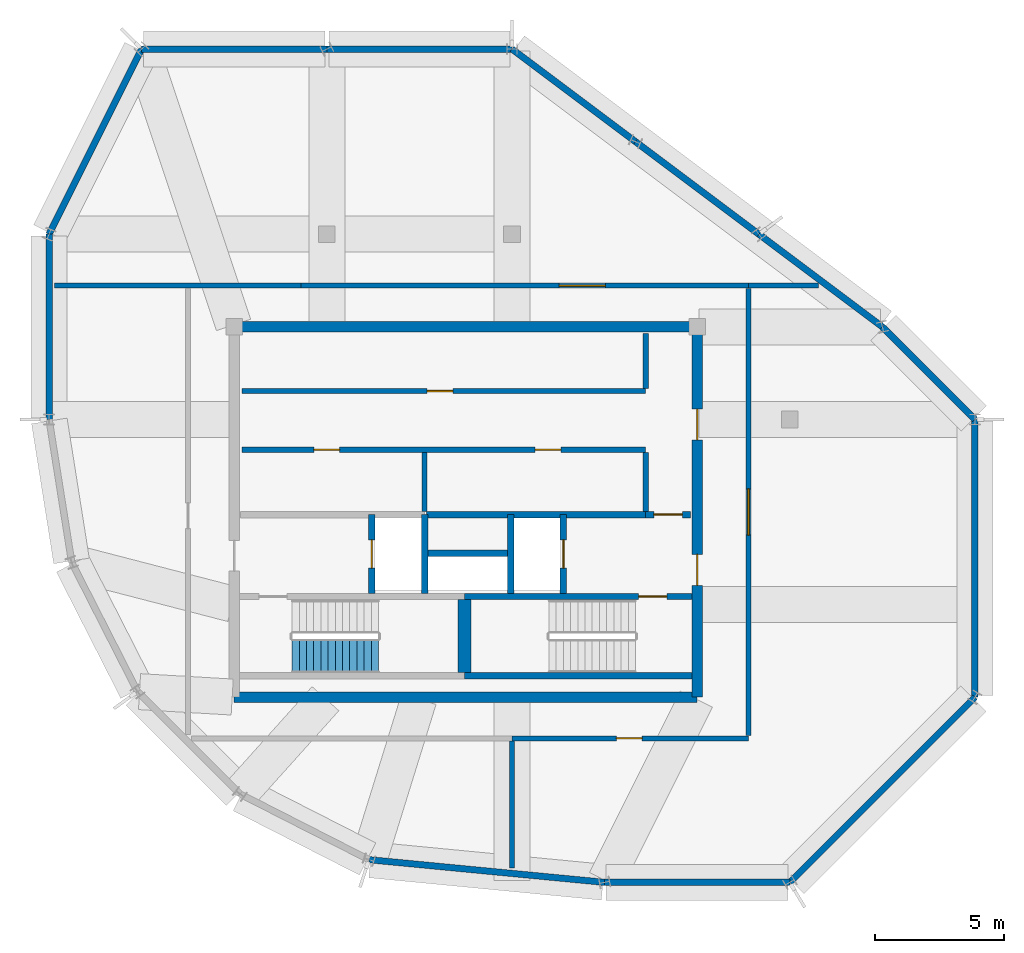
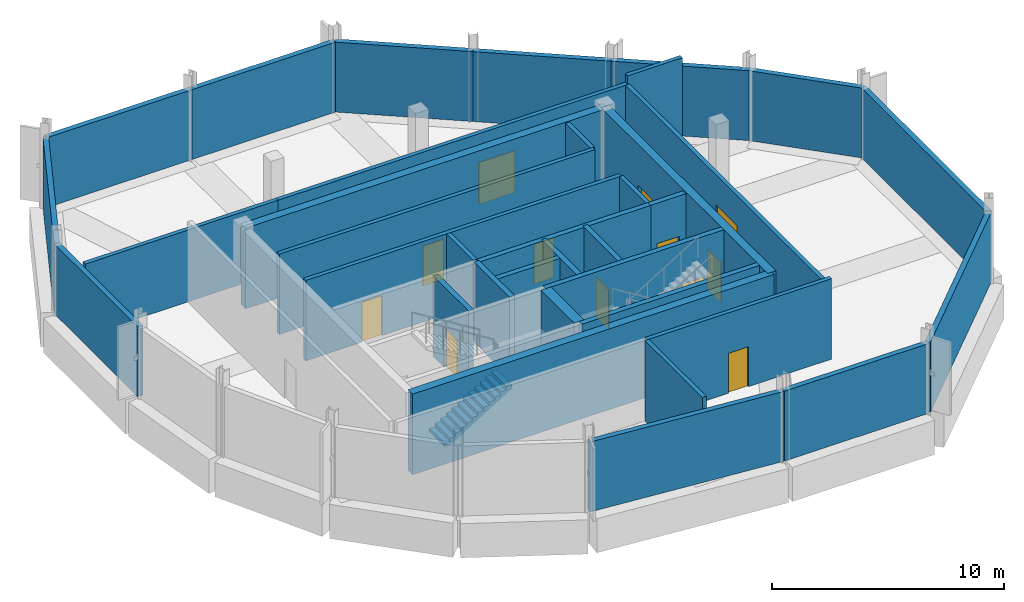
# One storey, part 2 of 5: 36 walls, 12 doors, 1 stair flight, 12 openings, 1 element without a shape of its own.
"""IFC4 building model written with IfcOpenShell, lengths in metres."""

from ifc_helpers import new_model, si_unit, direction, frame, frame_2d, origin, place, context, subcontext, project, spatial, polyline, rectangle, outline, extrude, material, layer, layer_set, type_object, element, fill, aggregate, save


model = new_model("IFC4")

# Units and contexts
model_context = context("Model", 3, precision=1e-05, world=origin(), true_north=direction((0.0, 1.0)))
body_context = subcontext(model_context, "Body", "Model", "MODEL_VIEW")
ifc_project = project(units=[si_unit("LENGTHUNIT", "METRE"), si_unit("AREAUNIT", "SQUARE_METRE"), si_unit("VOLUMEUNIT", "CUBIC_METRE"), si_unit("PLANEANGLEUNIT", "RADIAN"), si_unit("MASSUNIT", "GRAM", prefix="KILO")], contexts=[model_context])

# Site, building, storey
site_placement = place(None, origin())
site = spatial("IfcSite", under=ifc_project, at=site_placement, CompositionType="ELEMENT")
building_placement = place(site_placement, origin())
building = spatial("IfcBuilding", under=site, at=building_placement, Name="Solnavia Interchange Tower", CompositionType="ELEMENT")
storey_placement = place(building_placement, frame((0.0, 0.0, 304.199951171875)))
storey = spatial("IfcBuildingStorey", under=building, at=storey_placement, Name="C01", CompositionType="ELEMENT", Elevation=304.199951171875)

# Walls
ifc_material_1 = material(Name="Concrete C40/50", Category="concrete")
ifc_layer_1 = layer(ifc_material_1, 0.25)
ifc_layer_set_1 = layer_set([ifc_layer_1], Name="Concrete C40/50")
wall_type_1 = type_object("IfcWallType", Name="Wall-ExtSpandrel-250", PredefinedType="STANDARD", material=ifc_layer_set_1)
wall_1_placement = place(storey_placement, frame((43.199951171875, 21.60009765625, 0.0), z_axis=(0.0, 0.0, 1.0), x_axis=(-0.707106781187, 0.707106781187, 0.0)))
element("IfcWall", 1, at=wall_1_placement, inside=storey, type_object=wall_type_1, Name="EXW-C01-R01 Crown ring facade panel", PredefinedType="STANDARD", context=body_context, shape_type="SweptSolid", body=[
    extrude(rectangle(XDim=5.091064453125, YDim=0.25, at=frame_2d((2.54541015625, 0.0))), origin(), (0.0, 0.0, 1.0), 3.679931640625),
])
for number, where, z_axis, x_axis, name in (
    (2, (39.60009765625, 25.199951171875, 0.0), (0.0, 0.0, 1.0), (-0.79999511724, 0.600006510291, 0.0), "EXW-C01-R02 Crown ring facade panel"),
    (3, (34.800048828125, 28.800048828125, 0.0), (0.0, 0.0, 1.0), (-0.800014648318, 0.599980468412, 0.0), "EXW-C01-R03 Crown ring facade panel"),
    (4, (30.0, 32.39990234375, 0.0), (0.0, 0.0, 1.0), (-0.79999511724, 0.600006510291, 0.0), "EXW-C01-R04 Crown ring facade panel"),
):
    element("IfcWall", number, at=place(storey_placement, frame(where, z_axis=z_axis, x_axis=x_axis)), inside=storey, type_object=wall_type_1, Name=name, PredefinedType="STANDARD", context=body_context, shape_type="SweptSolid", body=[
        extrude(rectangle(XDim=6.0, YDim=0.25, at=frame_2d((3.0, 0.0))), origin(), (0.0, 0.0, 1.0), 3.679931640625),
    ])
for number, where, z_axis, x_axis, name in (
    (5, (25.199951171875, 36.0, 0.0), (0.0, 0.0, 1.0), (-1.0, 0.0, 0.0), "EXW-C01-R05 Crown ring facade panel"),
    (6, (18.0, 36.0, 0.0), (0.0, 0.0, 1.0), (-1.0, 0.0, 0.0), "EXW-C01-R06 Crown ring facade panel"),
):
    element("IfcWall", number, at=place(storey_placement, frame(where, z_axis=z_axis, x_axis=x_axis)), inside=storey, type_object=wall_type_1, Name=name, PredefinedType="STANDARD", context=body_context, shape_type="SweptSolid", body=[
        extrude(rectangle(XDim=7.199951171875, YDim=0.25, at=frame_2d((3.60009765625, 0.0))), origin(), (0.0, 0.0, 1.0), 3.679931640625),
    ])
wall_2_placement = place(storey_placement, frame((10.800048828125, 36.0, 0.0), z_axis=(0.0, 0.0, 1.0), x_axis=(-0.447225726904, -0.894421125195, 0.0)))
element("IfcWall", 7, at=wall_2_placement, inside=storey, type_object=wall_type_1, Name="EXW-C01-R07 Crown ring facade panel", PredefinedType="STANDARD", context=body_context, shape_type="SweptSolid", body=[
    extrude(rectangle(XDim=8.0498046875, YDim=0.25, at=frame_2d((4.02490234375, 0.0))), origin(), (0.0, 0.0, 1.0), 3.679931640625),
])
wall_3_placement = place(storey_placement, frame((7.199951171875, 28.800048828125, 0.0), z_axis=(0.0, 0.0, 1.0), x_axis=(0.0, -1.0, 0.0)))
element("IfcWall", 8, at=wall_3_placement, inside=storey, type_object=wall_type_1, Name="EXW-C01-R08 Crown ring facade panel", PredefinedType="STANDARD", context=body_context, shape_type="SweptSolid", body=[
    extrude(rectangle(XDim=7.199951171875, YDim=0.25, at=frame_2d((3.60009765625, 0.0))), origin(), (0.0, 0.0, 1.0), 3.679931640625),
])
wall_4_placement = place(storey_placement, frame((19.637939453125, 4.48095703125, 0.0), z_axis=(0.0, 0.0, 1.0), x_axis=(0.995410195364, -0.095700276723, 0.0)))
element("IfcWall", 9, at=wall_4_placement, inside=storey, type_object=wall_type_1, Name="EXW-C01-R13 Crown ring facade panel", PredefinedType="STANDARD", context=body_context, shape_type="SweptSolid", body=[
    extrude(rectangle(XDim=9.204345703125, YDim=0.25, at=frame_2d((4.60205078125, 0.0))), origin(), (0.0, 0.0, 1.0), 3.679931640625),
])
wall_5_placement = place(storey_placement, frame((28.800048828125, 3.60009765625, 0.0), z_axis=(0.0, 0.0, 1.0), x_axis=(1.0, 0.0, 0.0)))
element("IfcWall", 10, at=wall_5_placement, inside=storey, type_object=wall_type_1, Name="EXW-C01-R14 Crown ring facade panel", PredefinedType="STANDARD", context=body_context, shape_type="SweptSolid", body=[
    extrude(rectangle(XDim=7.199951171875, YDim=0.25, at=frame_2d((3.60009765625, 0.0))), origin(), (0.0, 0.0, 1.0), 3.679931640625),
])
wall_6_placement = place(storey_placement, frame((36.0, 3.60009765625, 0.0), z_axis=(0.0, 0.0, 1.0), x_axis=(0.707106781187, 0.707106781187, 0.0)))
element("IfcWall", 11, at=wall_6_placement, inside=storey, type_object=wall_type_1, Name="EXW-C01-R15 Crown ring facade panel", PredefinedType="STANDARD", context=body_context, shape_type="SweptSolid", body=[
    extrude(rectangle(XDim=10.182373046875, YDim=0.25, at=frame_2d((5.09130859375, 0.0))), origin(), (0.0, 0.0, 1.0), 3.679931640625),
])
wall_7_placement = place(storey_placement, frame((43.199951171875, 10.800048828125, 0.0), z_axis=(0.0, 0.0, 1.0), x_axis=(0.0, 1.0, 0.0)))
element("IfcWall", 12, at=wall_7_placement, inside=storey, type_object=wall_type_1, Name="EXW-C01-R16 Crown ring facade panel", PredefinedType="STANDARD", context=body_context, shape_type="SweptSolid", body=[
    extrude(rectangle(XDim=10.800048828125, YDim=0.25, at=frame_2d((5.39990234375, 0.0))), origin(), (0.0, 0.0, 1.0), 3.679931640625),
])

# Wall, openings, doors
ifc_layer_2 = layer(ifc_material_1, 0.199951171875)
ifc_layer_set_2 = layer_set([ifc_layer_2], Name="Concrete C40/50")
wall_type_2 = type_object("IfcWallType", Name="Wall-PlantFire-200", PredefinedType="PARTITIONING", material=ifc_layer_set_2)
wall_8_placement = place(storey_placement, frame((14.699951171875, 20.419921875, 0.0), z_axis=(0.0, 0.0, 1.0), x_axis=(1.0, 0.0, 0.0)))
wall_8 = element("IfcWall", 13, at=wall_8_placement, inside=storey, type_object=wall_type_2, Name="CSW-C01-CR1 Core shaft wall", PredefinedType="PARTITIONING", context=body_context, shape_type="SweptSolid", body=[
    extrude(rectangle(XDim=15.699951171875, YDim=0.199951171875, at=frame_2d((7.85009765625, 0.0))), origin(), (0.0, 0.0, 1.0), 4.235107421875),
])
opening_1_placement = place(wall_8_placement, frame((2.800048828125, 0.0, 0.0)))
opening_1 = element("IfcOpeningElement", 14, at=opening_1_placement, cuts=wall_8, Name="Opening DR-04", PredefinedType="OPENING", context=body_context, shape_type="SweptSolid", body=[
    extrude(rectangle(XDim=1.0, YDim=2.10009765625, at=frame_2d((0.5, 1.050048828125))), frame((0.0, 0.10986328125, 0.0), z_axis=(0.0, -1.0, 0.0), x_axis=(1.0, 0.0, 0.0)), (0.0, 0.0, 1.0), 0.219970703125),
])
opening_2_placement = place(wall_8_placement, frame((11.39990234375, 0.0, 0.0)))
opening_2 = element("IfcOpeningElement", 15, at=opening_2_placement, cuts=wall_8, Name="Opening DR-04", PredefinedType="OPENING", context=body_context, shape_type="SweptSolid", body=[
    extrude(rectangle(XDim=1.0, YDim=2.10009765625, at=frame_2d((0.5, 1.050048828125))), frame((0.0, 0.10986328125, 0.0), z_axis=(0.0, -1.0, 0.0), x_axis=(1.0, 0.0, 0.0)), (0.0, 0.0, 1.0), 0.219970703125),
])
ifc_material_2 = material(Name="Steel Fire-Rated Plant Door", Category="steel")
door_type_1 = type_object("IfcDoorType", Name="Door-PlantFire-1000x2100", OperationType="SINGLE_SWING_LEFT", PredefinedType="DOOR", material=ifc_material_2)
door_1_placement = place(opening_1_placement, origin())
door_1 = element("IfcDoor", 16, at=door_1_placement, inside=storey, type_object=door_type_1, Name="DR-C01-CR1 Core fire door", OperationType="SINGLE_SWING_LEFT", OverallHeight=2.10009765625, OverallWidth=1.0, PredefinedType="DOOR", context=body_context, shape_type="SweptSolid", body=[
    extrude(rectangle(XDim=1.0, YDim=2.10009765625, at=frame_2d((0.5, 1.050048828125))), frame((0.0, 0.02490234375, 0.0), z_axis=(0.0, -1.0, 0.0), x_axis=(1.0, 0.0, 0.0)), (0.0, 0.0, 1.0), 0.050048828125),
])
fill(opening_1, door_1)
door_2_placement = place(opening_2_placement, origin())
door_2 = element("IfcDoor", 17, at=door_2_placement, inside=storey, type_object=door_type_1, Name="DR-C01-CR2 Core fire door", OperationType="SINGLE_SWING_RIGHT", OverallHeight=2.10009765625, OverallWidth=1.0, PredefinedType="DOOR", context=body_context, shape_type="SweptSolid", body=[
    extrude(rectangle(XDim=1.0, YDim=2.10009765625, at=frame_2d((0.5, 1.050048828125))), frame((0.0, 0.02490234375, 0.0), z_axis=(0.0, -1.0, 0.0), x_axis=(1.0, 0.0, 0.0)), (0.0, 0.0, 1.0), 0.050048828125),
])
fill(opening_2, door_2)

# Walls
for number, where, z_axis, x_axis, name in (
    (18, (30.39990234375, 18.02001953125, 0.0), (0.0, 0.0, 1.0), (0.0, 1.0, 0.0), "CSW-C01-CR2 Core shaft wall"),
    (19, (21.800048828125, 18.02001953125, 0.0), (0.0, 0.0, 1.0), (0.0, 1.0, 0.0), "CSW-C01-CR3 Core shaft wall"),
):
    element("IfcWall", number, at=place(storey_placement, frame(where, z_axis=z_axis, x_axis=x_axis)), inside=storey, type_object=wall_type_2, Name=name, PredefinedType="PARTITIONING", context=body_context, shape_type="SweptSolid", body=[
        extrude(rectangle(XDim=2.300048828125, YDim=0.199951171875, at=frame_2d((1.14990234375, 0.0))), origin(), (0.0, 0.0, 1.0), 4.235107421875),
    ])

# Wall, opening, door
wall_9_placement = place(storey_placement, frame((14.699951171875, 22.699951171875, 0.0), z_axis=(0.0, 0.0, 1.0), x_axis=(1.0, 0.0, 0.0)))
wall_9 = element("IfcWall", 20, at=wall_9_placement, inside=storey, type_object=wall_type_2, Name="CSW-C01-CR4 Core shaft wall", PredefinedType="PARTITIONING", context=body_context, shape_type="SweptSolid", body=[
    extrude(rectangle(XDim=15.699951171875, YDim=0.199951171875, at=frame_2d((7.85009765625, 0.0))), origin(), (0.0, 0.0, 1.0), 4.235107421875),
])
opening_3_placement = place(wall_9_placement, frame((7.199951171875, 0.0, 0.0)))
opening_3 = element("IfcOpeningElement", 21, at=opening_3_placement, cuts=wall_9, Name="Opening DR-04", PredefinedType="OPENING", context=body_context, shape_type="SweptSolid", body=[
    extrude(rectangle(XDim=1.0, YDim=2.10009765625, at=frame_2d((0.5, 1.050048828125))), frame((0.0, 0.10986328125, 0.0), z_axis=(0.0, -1.0, 0.0), x_axis=(1.0, 0.0, 0.0)), (0.0, 0.0, 1.0), 0.219970703125),
])
door_3_placement = place(opening_3_placement, origin())
door_3 = element("IfcDoor", 22, at=door_3_placement, inside=storey, type_object=door_type_1, Name="DR-C01-CR3 Core fire door", OperationType="SINGLE_SWING_LEFT", OverallHeight=2.10009765625, OverallWidth=1.0, PredefinedType="DOOR", context=body_context, shape_type="SweptSolid", body=[
    extrude(rectangle(XDim=1.0, YDim=2.10009765625, at=frame_2d((0.5, 1.050048828125))), frame((0.0, 0.02490234375, 0.0), z_axis=(0.0, -1.0, 0.0), x_axis=(1.0, 0.0, 0.0)), (0.0, 0.0, 1.0), 0.050048828125),
])
fill(opening_3, door_3)

# Wall
wall_10_placement = place(storey_placement, frame((30.39990234375, 22.800048828125, 0.0), z_axis=(0.0, 0.0, 1.0), x_axis=(0.0, 1.0, 0.0)))
element("IfcWall", 23, at=wall_10_placement, inside=storey, type_object=wall_type_2, Name="CSW-C01-CR5 Core shaft wall", PredefinedType="PARTITIONING", context=body_context, shape_type="SweptSolid", body=[
    extrude(rectangle(XDim=2.14990234375, YDim=0.199951171875, at=frame_2d((1.074951171875, 0.0))), origin(), (0.0, 0.0, 1.0), 4.235107421875),
])

# Wall, opening, door
wall_11_placement = place(storey_placement, frame((17.0, 26.800048828125, 0.0), z_axis=(0.0, 0.0, 1.0), x_axis=(1.0, 0.0, 0.0)))
wall_11 = element("IfcWall", 24, at=wall_11_placement, inside=storey, type_object=wall_type_2, Name="PTW-C01-01 Interior partition wall", PredefinedType="PARTITIONING", context=body_context, shape_type="SweptSolid", body=[
    extrude(rectangle(XDim=17.39990234375, YDim=0.199951171875, at=frame_2d((8.699951171875, 0.0))), origin(), (0.0, 0.0, 1.0), 3.780029296875),
])
opening_4_placement = place(wall_11_placement, frame((10.033935546875, 0.0, 0.0)))
opening_4 = element("IfcOpeningElement", 25, at=opening_4_placement, cuts=wall_11, Name="Opening DR-05", PredefinedType="OPENING", context=body_context, shape_type="SweptSolid", body=[
    extrude(rectangle(XDim=1.800048828125, YDim=2.199951171875, at=frame_2d((0.89990234375, 1.10009765625))), frame((0.0, 0.10986328125, 0.0), z_axis=(0.0, -1.0, 0.0), x_axis=(1.0, 0.0, 0.0)), (0.0, 0.0, 1.0), 0.219970703125),
])
ifc_material_3 = material(Name="Steel Double Fire Door", Category="steel")
door_type_2 = type_object("IfcDoorType", Name="Door-PlantDouble-1800x2200", OperationType="DOUBLE_DOOR_SINGLE_SWING", PredefinedType="DOOR", material=ifc_material_3)
door_4_placement = place(opening_4_placement, origin())
door_4 = element("IfcDoor", 26, at=door_4_placement, inside=storey, type_object=door_type_2, Name="DR-C01-01 Interior room door", OperationType="DOUBLE_DOOR_SINGLE_SWING", OverallHeight=2.199951171875, OverallWidth=1.800048828125, PredefinedType="DOOR", context=body_context, shape_type="SweptSolid", body=[
    extrude(rectangle(XDim=1.800048828125, YDim=2.199951171875, at=frame_2d((0.89990234375, 1.10009765625))), frame((0.0, 0.02490234375, 0.0), z_axis=(0.0, -1.0, 0.0), x_axis=(1.0, 0.0, 0.0)), (0.0, 0.0, 1.0), 0.050048828125),
])
fill(opening_4, door_4)

# Walls
wall_12_placement = place(storey_placement, frame((7.405029296875, 26.800048828125, 0.0), z_axis=(0.0, 0.0, 1.0), x_axis=(1.0, 0.0, 0.0)))
element("IfcWall", 27, at=wall_12_placement, inside=storey, type_object=wall_type_2, Name="PTW-C01-02 Interior partition wall", PredefinedType="PARTITIONING", context=body_context, shape_type="SweptSolid", body=[
    extrude(rectangle(XDim=9.594970703125, YDim=0.199951171875, at=frame_2d((4.79736328125, 0.0))), origin(), (0.0, 0.0, 1.0), 3.780029296875),
])
wall_13_placement = place(storey_placement, frame((34.39990234375, 26.800048828125, 0.0), z_axis=(0.0, 0.0, 1.0), x_axis=(1.0, 0.0, 0.0)))
element("IfcWall", 28, at=wall_13_placement, inside=storey, type_object=wall_type_2, Name="PTW-C01-03 Interior partition wall", PredefinedType="PARTITIONING", context=body_context, shape_type="SweptSolid", body=[
    extrude(rectangle(XDim=2.72509765625, YDim=0.199951171875, at=frame_2d((1.362548828125, 0.0))), origin(), (0.0, 0.0, 1.0), 4.235107421875),
])

# Wall, opening, door
wall_14_placement = place(storey_placement, frame((25.199951171875, 9.199951171875, 0.0), z_axis=(0.0, 0.0, 1.0), x_axis=(1.0, 0.0, 0.0)))
wall_14 = element("IfcWall", 29, at=wall_14_placement, inside=storey, type_object=wall_type_2, Name="PTW-C01-06 Interior partition wall", PredefinedType="PARTITIONING", context=body_context, shape_type="SweptSolid", body=[
    extrude(rectangle(XDim=9.199951171875, YDim=0.199951171875, at=frame_2d((4.60009765625, 0.0))), origin(), (0.0, 0.0, 1.0), 4.235107421875),
])
opening_5_placement = place(wall_14_placement, frame((4.06005859375, 0.0, 0.0)))
opening_5 = element("IfcOpeningElement", 30, at=opening_5_placement, cuts=wall_14, Name="Opening DR-04", PredefinedType="OPENING", context=body_context, shape_type="SweptSolid", body=[
    extrude(rectangle(XDim=1.0, YDim=2.10009765625, at=frame_2d((0.5, 1.050048828125))), frame((0.0, 0.10986328125, 0.0), z_axis=(0.0, -1.0, 0.0), x_axis=(1.0, 0.0, 0.0)), (0.0, 0.0, 1.0), 0.219970703125),
])
door_5_placement = place(opening_5_placement, origin())
door_5 = element("IfcDoor", 31, at=door_5_placement, inside=storey, type_object=door_type_1, Name="DR-C01-03 Interior room door", OperationType="SINGLE_SWING_RIGHT", OverallHeight=2.10009765625, OverallWidth=1.0, PredefinedType="DOOR", context=body_context, shape_type="SweptSolid", body=[
    extrude(rectangle(XDim=1.0, YDim=2.10009765625, at=frame_2d((0.5, 1.050048828125))), frame((0.0, 0.02490234375, 0.0), z_axis=(0.0, -1.0, 0.0), x_axis=(1.0, 0.0, 0.0)), (0.0, 0.0, 1.0), 0.050048828125),
])
fill(opening_5, door_5)

wall_15_placement = place(storey_placement, frame((34.39990234375, 9.303955078125, 0.0), z_axis=(0.0, 0.0, 1.0), x_axis=(0.0, 1.0, 0.0)))
wall_15 = element("IfcWall", 32, at=wall_15_placement, inside=storey, type_object=wall_type_2, Name="PTW-C01-07 Interior partition wall", PredefinedType="PARTITIONING", context=body_context, shape_type="SweptSolid", body=[
    extrude(rectangle(XDim=17.39208984375, YDim=0.199951171875, at=frame_2d((8.696044921875, 0.0))), origin(), (0.0, 0.0, 1.0), 3.780029296875),
])
opening_6_placement = place(wall_15_placement, frame((7.7958984375, 0.0, 0.0)))
opening_6 = element("IfcOpeningElement", 33, at=opening_6_placement, cuts=wall_15, Name="Opening DR-05", PredefinedType="OPENING", context=body_context, shape_type="SweptSolid", body=[
    extrude(rectangle(XDim=1.800048828125, YDim=2.199951171875, at=frame_2d((0.89990234375, 1.10009765625))), frame((0.0, 0.10986328125, 0.0), z_axis=(0.0, -1.0, 0.0), x_axis=(1.0, 0.0, 0.0)), (0.0, 0.0, 1.0), 0.219970703125),
])
door_6_placement = place(opening_6_placement, origin())
door_6 = element("IfcDoor", 34, at=door_6_placement, inside=storey, type_object=door_type_2, Name="DR-C01-04 Interior room door", OperationType="DOUBLE_DOOR_SINGLE_SWING", OverallHeight=2.199951171875, OverallWidth=1.800048828125, PredefinedType="DOOR", context=body_context, shape_type="SweptSolid", body=[
    extrude(rectangle(XDim=1.800048828125, YDim=2.199951171875, at=frame_2d((0.89990234375, 1.10009765625))), frame((0.0, 0.02490234375, 0.0), z_axis=(0.0, -1.0, 0.0), x_axis=(1.0, 0.0, 0.0)), (0.0, 0.0, 1.0), 0.050048828125),
])
fill(opening_6, door_6)

# Walls
wall_16_placement = place(storey_placement, frame((25.199951171875, 4.152099609375, 0.0), z_axis=(0.0, 0.0, 1.0), x_axis=(0.0, 1.0, 0.0)))
element("IfcWall", 35, at=wall_16_placement, inside=storey, type_object=wall_type_2, Name="PTW-C01-08 Interior partition wall", PredefinedType="PARTITIONING", context=body_context, shape_type="SweptSolid", body=[
    extrude(rectangle(XDim=4.94384765625, YDim=0.199951171875, at=frame_2d((2.471923828125, 0.0))), origin(), (0.0, 0.0, 1.0), 4.235107421875),
])
ifc_layer_3 = layer(ifc_material_1, 0.25)
ifc_layer_set_3 = layer_set([ifc_layer_3], Name="Concrete C40/50")
wall_type_3 = type_object("IfcWallType", Name="Wall-ShaftCore-250", PredefinedType="SHEAR", material=ifc_layer_set_3)
wall_17_placement = place(storey_placement, frame((23.35009765625, 11.625, 0.0), z_axis=(0.0, 0.0, 1.0), x_axis=(1.0, 0.0, 0.0)))
element("IfcWall", 36, at=wall_17_placement, inside=storey, type_object=wall_type_3, Name="SHW-C01-ST2S Core shear wall", PredefinedType="SHEAR", context=body_context, shape_type="SweptSolid", body=[
    extrude(rectangle(XDim=8.849853515625, YDim=0.25, at=frame_2d((4.4248046875, 0.0))), origin(), (0.0, 0.0, 1.0), 4.25),
])

# Wall, opening, door
wall_18_placement = place(storey_placement, frame((23.35009765625, 14.715087890625, 0.0), z_axis=(0.0, 0.0, 1.0), x_axis=(1.0, 0.0, 0.0)))
wall_18 = element("IfcWall", 37, at=wall_18_placement, inside=storey, type_object=wall_type_3, Name="SHW-C01-ST2N Core shear wall", PredefinedType="SHEAR", context=body_context, shape_type="SweptSolid", body=[
    extrude(rectangle(XDim=8.849853515625, YDim=0.25, at=frame_2d((4.4248046875, 0.0))), origin(), (0.0, 0.0, 1.0), 4.25),
])
opening_7_placement = place(wall_18_placement, frame((6.77490234375, 0.0, 0.0)))
opening_7 = element("IfcOpeningElement", 38, at=opening_7_placement, cuts=wall_18, Name="Opening DR-01", PredefinedType="OPENING", context=body_context, shape_type="SweptSolid", body=[
    extrude(rectangle(XDim=1.10009765625, YDim=2.10009765625, at=frame_2d((0.550048828125, 1.050048828125))), frame((0.0, 0.135009765625, 0.0), z_axis=(0.0, -1.0, 0.0), x_axis=(1.0, 0.0, 0.0)), (0.0, 0.0, 1.0), 0.27001953125),
])
ifc_material_4 = material(Name="Steel Fire-Rated Leaf & Frame", Category="steel")
door_type_3 = type_object("IfcDoorType", Name="Door-StairFire-1100x2100", OperationType="SINGLE_SWING_LEFT", PredefinedType="DOOR", material=ifc_material_4)
door_7_placement = place(opening_7_placement, origin())
door_7 = element("IfcDoor", 39, at=door_7_placement, inside=storey, type_object=door_type_3, Name="DR-C01-ST2 Core fire door", OperationType="SINGLE_SWING_LEFT", OverallHeight=2.10009765625, OverallWidth=1.10009765625, PredefinedType="DOOR", context=body_context, shape_type="SweptSolid", body=[
    extrude(rectangle(XDim=1.10009765625, YDim=2.10009765625, at=frame_2d((0.550048828125, 1.050048828125))), frame((0.0, 0.02490234375, 0.0), z_axis=(0.0, -1.0, 0.0), x_axis=(1.0, 0.0, 0.0)), (0.0, 0.0, 1.0), 0.050048828125),
])
fill(opening_7, door_7)

ifc_layer_4 = layer(ifc_material_1, 0.25)
ifc_layer_set_4 = layer_set([ifc_layer_4], Name="Concrete C40/50")
wall_type_4 = type_object("IfcWallType", Name="Wall-ShaftPart-250", PredefinedType="PARTITIONING", material=ifc_layer_set_4)
wall_19_placement = place(storey_placement, frame((19.75, 14.840087890625, 0.0), z_axis=(0.0, 0.0, 1.0), x_axis=(0.0, 1.0, 0.0)))
wall_19 = element("IfcWall", 40, at=wall_19_placement, inside=storey, type_object=wall_type_4, Name="SHW-C01-FFL1-W Core shaft wall", PredefinedType="PARTITIONING", context=body_context, shape_type="SweptSolid", body=[
    extrude(rectangle(XDim=3.059814453125, YDim=0.25, at=frame_2d((1.52978515625, 0.0))), origin(), (0.0, 0.0, 1.0), 4.235107421875),
])
opening_8_placement = place(wall_19_placement, frame((0.97998046875, 0.0, 0.0)))
opening_8 = element("IfcOpeningElement", 41, at=opening_8_placement, cuts=wall_19, Name="Opening LD-01", PredefinedType="OPENING", context=body_context, shape_type="SweptSolid", body=[
    extrude(rectangle(XDim=1.10009765625, YDim=2.10009765625, at=frame_2d((0.550048828125, 1.050048828125))), frame((0.0, 0.135009765625, 0.0), z_axis=(0.0, -1.0, 0.0), x_axis=(1.0, 0.0, 0.0)), (0.0, 0.0, 1.0), 0.27001953125),
])
ifc_material_5 = material(Name="Brushed Stainless Steel Sliding Door", Category="steel")
door_type_4 = type_object("IfcDoorType", Name="Door-LiftLanding-1100x2100", OperationType="SLIDING_TO_LEFT", PredefinedType="DOOR", material=ifc_material_5)
door_8_placement = place(opening_8_placement, origin())
door_8 = element("IfcDoor", 42, at=door_8_placement, inside=storey, type_object=door_type_4, Name="LD-C01-FFL1 Lift landing sliding door", OperationType="SLIDING_TO_LEFT", OverallHeight=2.10009765625, OverallWidth=1.10009765625, PredefinedType="DOOR", context=body_context, shape_type="SweptSolid", body=[
    extrude(rectangle(XDim=1.10009765625, YDim=2.10009765625, at=frame_2d((0.550048828125, 1.050048828125))), frame((0.0, 0.02490234375, 0.0), z_axis=(0.0, -1.0, 0.0), x_axis=(1.0, 0.0, 0.0)), (0.0, 0.0, 1.0), 0.050048828125),
])
fill(opening_8, door_8)

# Walls
wall_20_placement = place(storey_placement, frame((21.800048828125, 14.840087890625, 0.0), z_axis=(0.0, 0.0, 1.0), x_axis=(0.0, 1.0, 0.0)))
element("IfcWall", 43, at=wall_20_placement, inside=storey, type_object=wall_type_4, Name="SHW-C01-FFL1-E Core shaft wall", PredefinedType="PARTITIONING", context=body_context, shape_type="SweptSolid", body=[
    extrude(rectangle(XDim=3.059814453125, YDim=0.25, at=frame_2d((1.52978515625, 0.0))), origin(), (0.0, 0.0, 1.0), 4.235107421875),
])
wall_21_placement = place(storey_placement, frame((21.8798828125, 17.89990234375, 0.0), z_axis=(0.0, 0.0, 1.0), x_axis=(1.0, 0.0, 0.0)))
element("IfcWall", 44, at=wall_21_placement, inside=storey, type_object=wall_type_4, Name="SHW-C01-FFLE-N1 Core shaft wall", PredefinedType="PARTITIONING", context=body_context, shape_type="SweptSolid", body=[
    extrude(rectangle(XDim=8.52001953125, YDim=0.25, at=frame_2d((4.260009765625, 0.0))), origin(), (0.0, 0.0, 1.0), 4.235107421875),
])

# Wall, opening, door
wall_22_placement = place(storey_placement, frame((30.39990234375, 17.89990234375, 0.0), z_axis=(0.0, 0.0, 1.0), x_axis=(1.0, 0.0, 0.0)))
wall_22 = element("IfcWall", 45, at=wall_22_placement, inside=storey, type_object=wall_type_4, Name="SHW-C01-FFLE-N2 Core shaft wall", PredefinedType="PARTITIONING", context=body_context, shape_type="SweptSolid", body=[
    extrude(rectangle(XDim=1.75, YDim=0.25, at=frame_2d((0.875, 0.0))), origin(), (0.0, 0.0, 1.0), 4.235107421875),
])
opening_9_placement = place(wall_22_placement, frame((0.320068359375, 0.0, 0.0)))
opening_9 = element("IfcOpeningElement", 46, at=opening_9_placement, cuts=wall_22, Name="Opening DR-01", PredefinedType="OPENING", context=body_context, shape_type="SweptSolid", body=[
    extrude(rectangle(XDim=1.10009765625, YDim=2.10009765625, at=frame_2d((0.550048828125, 1.050048828125))), frame((0.0, 0.135009765625, 0.0), z_axis=(0.0, -1.0, 0.0), x_axis=(1.0, 0.0, 0.0)), (0.0, 0.0, 1.0), 0.27001953125),
])
door_9_placement = place(opening_9_placement, origin())
door_9 = element("IfcDoor", 47, at=door_9_placement, inside=storey, type_object=door_type_3, Name="DR-C01-LLC Core fire door", OperationType="SINGLE_SWING_LEFT", OverallHeight=2.10009765625, OverallWidth=1.10009765625, PredefinedType="DOOR", context=body_context, shape_type="SweptSolid", body=[
    extrude(rectangle(XDim=1.10009765625, YDim=2.10009765625, at=frame_2d((0.550048828125, 1.050048828125))), frame((0.0, 0.02490234375, 0.0), z_axis=(0.0, -1.0, 0.0), x_axis=(1.0, 0.0, 0.0)), (0.0, 0.0, 1.0), 0.050048828125),
])
fill(opening_9, door_9)

# Wall
wall_23_placement = place(storey_placement, frame((25.14990234375, 14.840087890625, 0.0), z_axis=(0.0, 0.0, 1.0), x_axis=(0.0, 1.0, 0.0)))
element("IfcWall", 48, at=wall_23_placement, inside=storey, type_object=wall_type_4, Name="SHW-C01-FFL2-W Core shaft wall", PredefinedType="PARTITIONING", context=body_context, shape_type="SweptSolid", body=[
    extrude(rectangle(XDim=3.059814453125, YDim=0.25, at=frame_2d((1.52978515625, 0.0))), origin(), (0.0, 0.0, 1.0), 4.235107421875),
])

# Wall, opening, door
wall_24_placement = place(storey_placement, frame((27.199951171875, 14.840087890625, 0.0), z_axis=(0.0, 0.0, 1.0), x_axis=(0.0, 1.0, 0.0)))
wall_24 = element("IfcWall", 49, at=wall_24_placement, inside=storey, type_object=wall_type_4, Name="SHW-C01-FFL2-E Core shaft wall", PredefinedType="PARTITIONING", context=body_context, shape_type="SweptSolid", body=[
    extrude(rectangle(XDim=3.059814453125, YDim=0.25, at=frame_2d((1.52978515625, 0.0))), origin(), (0.0, 0.0, 1.0), 4.235107421875),
])
opening_10_placement = place(wall_24_placement, frame((0.97998046875, 0.0, 0.0)))
opening_10 = element("IfcOpeningElement", 50, at=opening_10_placement, cuts=wall_24, Name="Opening LD-01", PredefinedType="OPENING", context=body_context, shape_type="SweptSolid", body=[
    extrude(rectangle(XDim=1.10009765625, YDim=2.10009765625, at=frame_2d((0.550048828125, 1.050048828125))), frame((0.0, 0.135009765625, 0.0), z_axis=(0.0, -1.0, 0.0), x_axis=(1.0, 0.0, 0.0)), (0.0, 0.0, 1.0), 0.27001953125),
])
door_10_placement = place(opening_10_placement, origin())
door_10 = element("IfcDoor", 51, at=door_10_placement, inside=storey, type_object=door_type_4, Name="LD-C01-FFL2 Lift landing sliding door", OperationType="SLIDING_TO_LEFT", OverallHeight=2.10009765625, OverallWidth=1.10009765625, PredefinedType="DOOR", context=body_context, shape_type="SweptSolid", body=[
    extrude(rectangle(XDim=1.10009765625, YDim=2.10009765625, at=frame_2d((0.550048828125, 1.050048828125))), frame((0.0, 0.02490234375, 0.0), z_axis=(0.0, -1.0, 0.0), x_axis=(1.0, 0.0, 0.0)), (0.0, 0.0, 1.0), 0.050048828125),
])
fill(opening_10, door_10)

# Walls
wall_25_placement = place(storey_placement, frame((21.800048828125, 16.39990234375, 0.0), z_axis=(0.0, 0.0, 1.0), x_axis=(1.0, 0.0, 0.0)))
element("IfcWall", 52, at=wall_25_placement, inside=storey, type_object=wall_type_4, Name="SHW-C01-MEP-N Core shaft wall", PredefinedType="PARTITIONING", context=body_context, shape_type="SweptSolid", body=[
    extrude(rectangle(XDim=3.349853515625, YDim=0.25, at=frame_2d((1.6748046875, 0.0))), origin(), (0.0, 0.0, 1.0), 4.235107421875),
])
ifc_material_6 = material(Name="Concrete C50/60", Category="concrete")
ifc_layer_5 = layer(ifc_material_6, 0.39990234375)
ifc_layer_set_5 = layer_set([ifc_layer_5], Name="Concrete C50/60")
wall_type_5 = type_object("IfcWallType", Name="Wall-ShearCore-400", PredefinedType="SHEAR", material=ifc_layer_set_5)
for number, where, z_axis, x_axis, name in (
    (53, (14.39990234375, 10.800048828125, 0.0), (0.0, 0.0, 1.0), (1.0, 0.0, 0.0), "CRW-C01-S Core shear wall"),
    (54, (14.39990234375, 25.199951171875, 0.0), (0.0, 0.0, 1.0), (1.0, 0.0, 0.0), "CRW-C01-N Core shear wall"),
):
    element("IfcWall", number, at=place(storey_placement, frame(where, z_axis=z_axis, x_axis=x_axis)), inside=storey, type_object=wall_type_5, Name=name, PredefinedType="SHEAR", context=body_context, shape_type="SweptSolid", body=[
        extrude(rectangle(XDim=18.0, YDim=0.39990234375, at=frame_2d((9.0, 0.0))), origin(), (0.0, 0.0, 1.0), 4.25),
    ])

# Wall, openings, doors
wall_26_placement = place(storey_placement, frame((32.39990234375, 10.800048828125, 0.0), z_axis=(0.0, 0.0, 1.0), x_axis=(0.0, 1.0, 0.0)))
wall_26 = element("IfcWall", 55, at=wall_26_placement, inside=storey, type_object=wall_type_5, Name="CRW-C01-E Core shear wall", PredefinedType="SHEAR", context=body_context, shape_type="SweptSolid", body=[
    extrude(rectangle(XDim=14.39990234375, YDim=0.39990234375, at=frame_2d((7.199951171875, 0.0))), origin(), (0.0, 0.0, 1.0), 4.25),
])
opening_11_placement = place(wall_26_placement, frame((4.35009765625, 0.0, 0.0)))
opening_11 = element("IfcOpeningElement", 56, at=opening_11_placement, cuts=wall_26, Name="Opening DR-02", PredefinedType="OPENING", context=body_context, shape_type="SweptSolid", body=[
    extrude(rectangle(XDim=1.199951171875, YDim=2.10009765625, at=frame_2d((0.60009765625, 1.050048828125))), frame((0.0, 0.2099609375, 0.0), z_axis=(0.0, -1.0, 0.0), x_axis=(1.0, 0.0, 0.0)), (0.0, 0.0, 1.0), 0.419921875),
])
opening_12_placement = place(wall_26_placement, frame((10.0, 0.0, 0.0)))
opening_12 = element("IfcOpeningElement", 57, at=opening_12_placement, cuts=wall_26, Name="Opening DR-02", PredefinedType="OPENING", context=body_context, shape_type="SweptSolid", body=[
    extrude(rectangle(XDim=1.199951171875, YDim=2.10009765625, at=frame_2d((0.60009765625, 1.050048828125))), frame((0.0, 0.2099609375, 0.0), z_axis=(0.0, -1.0, 0.0), x_axis=(1.0, 0.0, 0.0)), (0.0, 0.0, 1.0), 0.419921875),
])
ifc_material_7 = material(Name="Steel Fire-Rated Vision-Panel Door", Category="steel")
door_type_5 = type_object("IfcDoorType", Name="Door-LobbyFire-1200x2100", OperationType="SINGLE_SWING_RIGHT", PredefinedType="DOOR", material=ifc_material_7)
door_11_placement = place(opening_11_placement, origin())
door_11 = element("IfcDoor", 58, at=door_11_placement, inside=storey, type_object=door_type_5, Name="DR-C01-FFL2E Core fire door", OperationType="SINGLE_SWING_LEFT", OverallHeight=2.10009765625, OverallWidth=1.199951171875, PredefinedType="DOOR", context=body_context, shape_type="SweptSolid", body=[
    extrude(rectangle(XDim=1.199951171875, YDim=2.10009765625, at=frame_2d((0.60009765625, 1.050048828125))), frame((0.0, 0.02490234375, 0.0), z_axis=(0.0, -1.0, 0.0), x_axis=(1.0, 0.0, 0.0)), (0.0, 0.0, 1.0), 0.050048828125),
])
fill(opening_11, door_11)
door_12_placement = place(opening_12_placement, origin())
door_12 = element("IfcDoor", 59, at=door_12_placement, inside=storey, type_object=door_type_5, Name="DR-C01-LLE Core fire door", OperationType="SINGLE_SWING_RIGHT", OverallHeight=2.10009765625, OverallWidth=1.199951171875, PredefinedType="DOOR", context=body_context, shape_type="SweptSolid", body=[
    extrude(rectangle(XDim=1.199951171875, YDim=2.10009765625, at=frame_2d((0.60009765625, 1.050048828125))), frame((0.0, 0.02490234375, 0.0), z_axis=(0.0, -1.0, 0.0), x_axis=(1.0, 0.0, 0.0)), (0.0, 0.0, 1.0), 0.050048828125),
])
fill(opening_12, door_12)

# Wall
ifc_material_8 = material(Name="Concrete C60/75", Category="concrete")
ifc_layer_6 = layer(ifc_material_8, 0.5)
ifc_layer_set_6 = layer_set([ifc_layer_6], Name="Concrete C60/75")
wall_type_6 = type_object("IfcWallType", Name="Wall-ShearCore-500", PredefinedType="SHEAR", material=ifc_layer_set_6)
wall_27_placement = place(storey_placement, frame((23.35009765625, 11.75, 0.0), z_axis=(0.0, 0.0, 1.0), x_axis=(0.0, 1.0, 0.0)))
element("IfcWall", 60, at=wall_27_placement, inside=storey, type_object=wall_type_6, Name="SHW-C01-ST12M Core shear wall", PredefinedType="SHEAR", context=body_context, shape_type="SweptSolid", body=[
    extrude(rectangle(XDim=2.840087890625, YDim=0.5, at=frame_2d((1.419921875, 0.0))), origin(), (0.0, 0.0, 1.0), 4.25),
])

# Stair, stair flight
stair_type = type_object("IfcStairType", Name="Stair-Dogleg-RC", PredefinedType="HALF_TURN_STAIR", material=ifc_material_1)
stair_placement = place(storey_placement, origin())
stair = element("IfcStair", 61, at=stair_placement, inside=storey, type_object=stair_type, Name="C01 Core exit stair 1", PredefinedType="HALF_TURN_STAIR")
stair_flight_type = type_object("IfcStairFlightType", Name="StairFlight-RC-150", PredefinedType="STRAIGHT", material=ifc_material_1)
stair_flight_placement = place(storey_placement, frame((16.64990234375, 12.409912109375, 0.0), z_axis=(0.0, 0.0, 1.0), x_axis=(1.0, 0.0, 0.0)))
stair_flight = element("IfcStairFlight", 62, at=stair_flight_placement, type_object=stair_flight_type, Name="ST-1 flight 1", NumberOfRisers=13, NumberOfTreads=12, PredefinedType="STRAIGHT", RiserHeight=0.173076923, TreadLength=0.28, context=body_context, shape_type="SweptSolid", body=[
    extrude(outline(polyline([(0.0, 0.0), (0.0, 0.173095703125), (0.280029296875, 0.173095703125), (0.280029296875, 0.34619140625), (0.56005859375, 0.34619140625), (0.56005859375, 0.519287109375), (0.840087890625, 0.519287109375), (0.840087890625, 0.6923828125), (1.1201171875, 0.6923828125), (1.1201171875, 0.865478515625), (1.39990234375, 0.865478515625), (1.39990234375, 1.03857421875), (1.679931640625, 1.03857421875), (1.679931640625, 1.21142578125), (1.9599609375, 1.21142578125), (1.9599609375, 1.384521484375), (2.239990234375, 1.384521484375), (2.239990234375, 1.5576171875), (2.52001953125, 1.5576171875), (2.52001953125, 1.730712890625), (2.800048828125, 1.730712890625), (2.800048828125, 1.90380859375), (3.080078125, 1.90380859375), (3.080078125, 2.076904296875), (3.360107421875, 2.076904296875), (3.360107421875, 2.25), (3.360107421875, 1.900634765625), (0.28515625, 0.0), (0.0, 0.0)])), frame((0.0, 0.66015625, 0.0), z_axis=(0.0, -1.0, 0.0), x_axis=(1.0, 0.0, 0.0)), (0.0, 0.0, 1.0), 1.320068359375),
])
aggregate(stair, [stair_flight])

save(model, "model.ifc")
